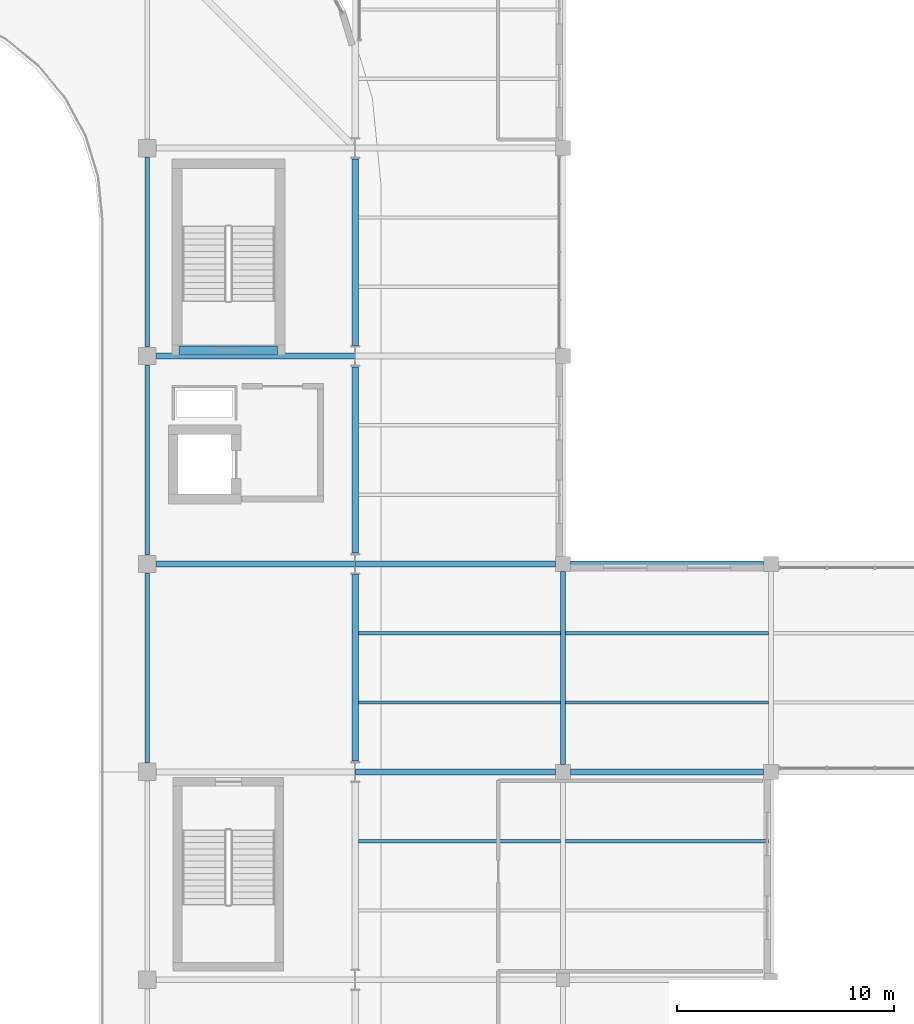
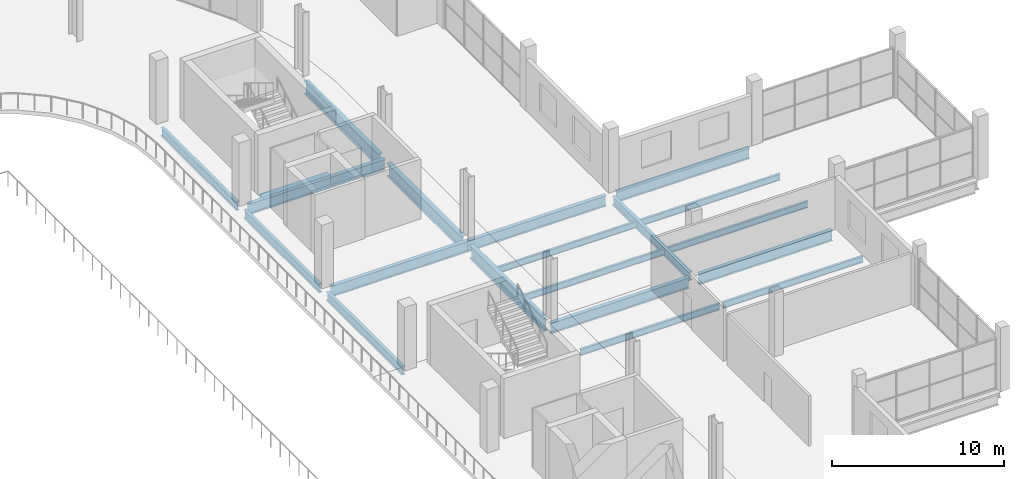
# One storey, part 23 of 75: 20 beams.
"""IFC4 building model written with IfcOpenShell, lengths in metres."""

from ifc_helpers import new_model, si_unit, direction, frame, origin, origin_2d, place, context, subcontext, project, spatial, rectangle, i_section, extrude, material, material_profile, profile_set, type_object, element, save


model = new_model("IFC4")

# Units and contexts
model_context = context("Model", 3, precision=1e-05, world=origin(), true_north=direction((0.0, 1.0)))
body_context = subcontext(model_context, "Body", "Model", "MODEL_VIEW")
ifc_project = project(units=[si_unit("LENGTHUNIT", "METRE"), si_unit("AREAUNIT", "SQUARE_METRE"), si_unit("VOLUMEUNIT", "CUBIC_METRE"), si_unit("PLANEANGLEUNIT", "RADIAN"), si_unit("MASSUNIT", "GRAM", prefix="KILO")], contexts=[model_context])

# Site, building, storey
site_placement = place(None, origin())
site = spatial("IfcSite", under=ifc_project, at=site_placement, CompositionType="ELEMENT")
building_placement = place(site_placement, origin())
building = spatial("IfcBuilding", under=site, at=building_placement, Name="Caelomonte Colonnade Arena", CompositionType="ELEMENT")
storey_placement = place(building_placement, frame((0.0, 0.0, 14.10009765625)))
storey = spatial("IfcBuildingStorey", under=building, at=storey_placement, Name="L03", CompositionType="ELEMENT", Elevation=14.10009765625)

# Beams
ifc_material_1 = material(Name="Wide-flange steel ASTM A992 Grade 50", Category="steel")
ifc_material_profile_1 = material_profile(ifc_material_1, i_section(OverallWidth=0.307861328125, OverallDepth=0.927001953125, WebThickness=0.019287109375, FlangeThickness=0.031982421875, FilletRadius=0.020263671875, at=origin_2d()), Name="W36X194")
ifc_profile_set_1 = profile_set([ifc_material_profile_1], Name="Wide-flange steel ASTM A992 Grade 50")
beam_type_1 = type_object("IfcBeamType", Name="STR-BM-EAVES2", PredefinedType="SPANDREL", material=ifc_profile_set_1)
beam_1_placement = place(storey_placement, frame((163.199951171875, 67.697509765625, -0.74365234375), z_axis=(0.0, 1.0, 0.0), x_axis=(-1.0, 0.0, 0.0)))
element("IfcBeam", 1, at=beam_1_placement, inside=storey, type_object=beam_type_1, Name="L03 girder BMY-L03-1632-0672", PredefinedType="SPANDREL", context=body_context, shape_type="SweptSolid", body=[
    extrude(i_section(OverallWidth=0.307861328125, OverallDepth=0.927001953125, WebThickness=0.019287109375, FlangeThickness=0.031982421875, FilletRadius=0.020263671875, at=origin_2d()), origin(), (0.0, 0.0, 1.0), 8.60498046875),
])
beam_2_placement = place(storey_placement, frame((163.199951171875, 77.29736328125, -0.74365234375), z_axis=(0.0, 1.0, 0.0), x_axis=(-1.0, 0.0, 0.0)))
element("IfcBeam", 2, at=beam_2_placement, inside=storey, type_object=beam_type_1, Name="L03 girder BMY-L03-1632-0768", PredefinedType="SPANDREL", context=body_context, shape_type="SweptSolid", body=[
    extrude(i_section(OverallWidth=0.307861328125, OverallDepth=0.927001953125, WebThickness=0.019287109375, FlangeThickness=0.031982421875, FilletRadius=0.020263671875, at=origin_2d()), origin(), (0.0, 0.0, 1.0), 8.605224609375),
])
beam_3_placement = place(storey_placement, frame((163.199951171875, 86.8974609375, -0.74365234375), z_axis=(0.0, 1.0, 0.0), x_axis=(-1.0, 0.0, 0.0)))
element("IfcBeam", 3, at=beam_3_placement, inside=storey, type_object=beam_type_1, Name="L03 girder BMY-L03-1632-0864", PredefinedType="SPANDREL", context=body_context, shape_type="SweptSolid", body=[
    extrude(i_section(OverallWidth=0.307861328125, OverallDepth=0.927001953125, WebThickness=0.019287109375, FlangeThickness=0.031982421875, FilletRadius=0.020263671875, at=origin_2d()), origin(), (0.0, 0.0, 1.0), 8.60498046875),
])
ifc_material_profile_2 = material_profile(ifc_material_1, i_section(OverallWidth=0.228271484375, OverallDepth=0.607177734375, WebThickness=0.01123046875, FlangeThickness=0.017333984375, FilletRadius=0.0126953125, at=origin_2d()), Name="W24X76")
ifc_profile_set_2 = profile_set([ifc_material_profile_2], Name="Wide-flange steel ASTM A992 Grade 50")
beam_type_2 = type_object("IfcBeamType", Name="STR-BM-GIRD24", PredefinedType="BEAM", material=ifc_profile_set_2)
beam_4_placement = place(storey_placement, frame((153.60009765625, 67.616943359375, -0.58349609375), z_axis=(0.0, 1.0, 0.0), x_axis=(-1.0, 0.0, 0.0)))
element("IfcBeam", 4, at=beam_4_placement, inside=storey, type_object=beam_type_2, Name="L03 girder BMY-L03-1536-0672", PredefinedType="BEAM", context=body_context, shape_type="SweptSolid", body=[
    extrude(i_section(OverallWidth=0.228271484375, OverallDepth=0.607177734375, WebThickness=0.01123046875, FlangeThickness=0.017333984375, FilletRadius=0.0126953125, at=origin_2d()), origin(), (0.0, 0.0, 1.0), 8.76611328125),
])
beam_5_placement = place(storey_placement, frame((153.60009765625, 77.217041015625, -0.58349609375), z_axis=(0.0, 1.0, 0.0), x_axis=(-1.0, 0.0, 0.0)))
element("IfcBeam", 5, at=beam_5_placement, inside=storey, type_object=beam_type_2, Name="L03 girder BMY-L03-1536-0768", PredefinedType="BEAM", context=body_context, shape_type="SweptSolid", body=[
    extrude(i_section(OverallWidth=0.228271484375, OverallDepth=0.607177734375, WebThickness=0.01123046875, FlangeThickness=0.017333984375, FilletRadius=0.0126953125, at=origin_2d()), origin(), (0.0, 0.0, 1.0), 8.765869140625),
])
beam_6_placement = place(storey_placement, frame((153.60009765625, 86.81689453125, -0.58349609375), z_axis=(0.0, 1.0, 0.0), x_axis=(-1.0, 0.0, 0.0)))
element("IfcBeam", 6, at=beam_6_placement, inside=storey, type_object=beam_type_2, Name="L03 girder BMY-L03-1536-0864", PredefinedType="BEAM", context=body_context, shape_type="SweptSolid", body=[
    extrude(i_section(OverallWidth=0.228271484375, OverallDepth=0.607177734375, WebThickness=0.01123046875, FlangeThickness=0.017333984375, FilletRadius=0.0126953125, at=origin_2d()), origin(), (0.0, 0.0, 1.0), 8.76611328125),
])
beam_7_placement = place(storey_placement, frame((172.800048828125, 67.5419921875, -0.58349609375), z_axis=(0.0, 1.0, 0.0), x_axis=(-1.0, 0.0, 0.0)))
element("IfcBeam", 7, at=beam_7_placement, inside=storey, type_object=beam_type_2, Name="L03 girder BMY-L03-1728-0672", PredefinedType="BEAM", context=body_context, shape_type="SweptSolid", body=[
    extrude(i_section(OverallWidth=0.228271484375, OverallDepth=0.607177734375, WebThickness=0.01123046875, FlangeThickness=0.017333984375, FilletRadius=0.0126953125, at=origin_2d()), origin(), (0.0, 0.0, 1.0), 8.916015625),
])
ifc_material_profile_3 = material_profile(ifc_material_1, i_section(OverallWidth=0.265380859375, OverallDepth=0.75439453125, WebThickness=0.01318359375, FlangeThickness=0.01708984375, FilletRadius=0.0166015625, at=origin_2d()), Name="W30X99")
ifc_profile_set_3 = profile_set([ifc_material_profile_3], Name="Wide-flange steel ASTM A992 Grade 50")
beam_type_3 = type_object("IfcBeamType", Name="STR-BM-GIRD30B", PredefinedType="BEAM", material=ifc_profile_set_3)
beam_8_placement = place(storey_placement, frame((163.2119140625, 67.199951171875, -0.6572265625), z_axis=(1.0, 0.0, 0.0), x_axis=(0.0, 1.0, 0.0)))
element("IfcBeam", 8, at=beam_8_placement, inside=storey, type_object=beam_type_3, Name="L03 girder BMX-L03-1632-0672", PredefinedType="BEAM", context=body_context, shape_type="SweptSolid", body=[
    extrude(i_section(OverallWidth=0.265380859375, OverallDepth=0.75439453125, WebThickness=0.01318359375, FlangeThickness=0.01708984375, FilletRadius=0.0166015625, at=origin_2d()), origin(), (0.0, 0.0, 1.0), 9.24609375),
])
beam_9_placement = place(storey_placement, frame((173.14208984375, 67.199951171875, -0.6572265625), z_axis=(1.0, 0.0, 0.0), x_axis=(0.0, 1.0, 0.0)))
element("IfcBeam", 9, at=beam_9_placement, inside=storey, type_object=beam_type_3, Name="L03 girder BMX-L03-1728-0672", PredefinedType="BEAM", context=body_context, shape_type="SweptSolid", body=[
    extrude(i_section(OverallWidth=0.265380859375, OverallDepth=0.75439453125, WebThickness=0.01318359375, FlangeThickness=0.01708984375, FilletRadius=0.0166015625, at=origin_2d()), origin(), (0.0, 0.0, 1.0), 8.916015625),
])
beam_10_placement = place(storey_placement, frame((154.01708984375, 76.800048828125, -0.6572265625), z_axis=(1.0, 0.0, 0.0), x_axis=(0.0, 1.0, 0.0)))
element("IfcBeam", 10, at=beam_10_placement, inside=storey, type_object=beam_type_3, Name="L03 girder BMX-L03-1536-0768", PredefinedType="BEAM", context=body_context, shape_type="SweptSolid", body=[
    extrude(i_section(OverallWidth=0.265380859375, OverallDepth=0.75439453125, WebThickness=0.01318359375, FlangeThickness=0.01708984375, FilletRadius=0.0166015625, at=origin_2d()), origin(), (0.0, 0.0, 1.0), 9.171142578125),
])
beam_11_placement = place(storey_placement, frame((163.2119140625, 76.800048828125, -0.6572265625), z_axis=(1.0, 0.0, 0.0), x_axis=(0.0, 1.0, 0.0)))
element("IfcBeam", 11, at=beam_11_placement, inside=storey, type_object=beam_type_3, Name="L03 girder BMX-L03-1632-0768", PredefinedType="BEAM", context=body_context, shape_type="SweptSolid", body=[
    extrude(i_section(OverallWidth=0.265380859375, OverallDepth=0.75439453125, WebThickness=0.01318359375, FlangeThickness=0.01708984375, FilletRadius=0.0166015625, at=origin_2d()), origin(), (0.0, 0.0, 1.0), 9.24609375),
])
beam_12_placement = place(storey_placement, frame((173.14208984375, 76.800048828125, -0.6572265625), z_axis=(1.0, 0.0, 0.0), x_axis=(0.0, 1.0, 0.0)))
element("IfcBeam", 12, at=beam_12_placement, inside=storey, type_object=beam_type_3, Name="L03 girder BMX-L03-1728-0768", PredefinedType="BEAM", context=body_context, shape_type="SweptSolid", body=[
    extrude(i_section(OverallWidth=0.265380859375, OverallDepth=0.75439453125, WebThickness=0.01318359375, FlangeThickness=0.01708984375, FilletRadius=0.0166015625, at=origin_2d()), origin(), (0.0, 0.0, 1.0), 8.916015625),
])
beam_13_placement = place(storey_placement, frame((154.01708984375, 86.39990234375, -0.6572265625), z_axis=(1.0, 0.0, 0.0), x_axis=(0.0, 1.0, 0.0)))
element("IfcBeam", 13, at=beam_13_placement, inside=storey, type_object=beam_type_3, Name="L03 girder BMX-L03-1536-0864", PredefinedType="BEAM", context=body_context, shape_type="SweptSolid", body=[
    extrude(i_section(OverallWidth=0.265380859375, OverallDepth=0.75439453125, WebThickness=0.01318359375, FlangeThickness=0.01708984375, FilletRadius=0.0166015625, at=origin_2d()), origin(), (0.0, 0.0, 1.0), 9.171142578125),
])
ifc_material_profile_4 = material_profile(ifc_material_1, i_section(OverallWidth=0.15283203125, OverallDepth=0.45458984375, WebThickness=0.008056640625, FlangeThickness=0.01318359375, FilletRadius=0.01025390625, at=origin_2d()), Name="W18X40")
ifc_profile_set_4 = profile_set([ifc_material_profile_4], Name="Wide-flange steel ASTM A992 Grade 50")
beam_type_4 = type_object("IfcBeamType", Name="STR-BM-JOIST18B", PredefinedType="JOIST", material=ifc_profile_set_4)
for number, where, z_axis, x_axis, name in (
    (14, (163.348876953125, 64.0, -0.50732421875), (1.0, 0.0, 0.0), (0.0, 1.0, 0.0), "L03 secondary joist 2"),
    (15, (163.348876953125, 70.39990234375, -0.50732421875), (1.0, 0.0, 0.0), (0.0, 1.0, 0.0), "L03 secondary joist 1"),
    (16, (163.348876953125, 73.60009765625, -0.50732421875), (1.0, 0.0, 0.0), (0.0, 1.0, 0.0), "L03 secondary joist 2"),
):
    element("IfcBeam", number, at=place(storey_placement, frame(where, z_axis=z_axis, x_axis=x_axis)), inside=storey, type_object=beam_type_4, Name=name, PredefinedType="JOIST", context=body_context, shape_type="SweptSolid", body=[
        extrude(i_section(OverallWidth=0.15283203125, OverallDepth=0.45458984375, WebThickness=0.008056640625, FlangeThickness=0.01318359375, FilletRadius=0.01025390625, at=origin_2d()), origin(), (0.0, 0.0, 1.0), 9.342041015625),
    ])
for number, where, z_axis, x_axis, name in (
    (17, (172.9091796875, 64.0, -0.50732421875), (1.0, 0.0, 0.0), (0.0, 1.0, 0.0), "L03 secondary joist 2"),
    (18, (172.9091796875, 70.39990234375, -0.50732421875), (1.0, 0.0, 0.0), (0.0, 1.0, 0.0), "L03 secondary joist 1"),
    (19, (172.9091796875, 73.60009765625, -0.50732421875), (1.0, 0.0, 0.0), (0.0, 1.0, 0.0), "L03 secondary joist 2"),
):
    element("IfcBeam", number, at=place(storey_placement, frame(where, z_axis=z_axis, x_axis=x_axis)), inside=storey, type_object=beam_type_4, Name=name, PredefinedType="JOIST", context=body_context, shape_type="SweptSolid", body=[
        extrude(i_section(OverallWidth=0.15283203125, OverallDepth=0.45458984375, WebThickness=0.008056640625, FlangeThickness=0.01318359375, FilletRadius=0.01025390625, at=origin_2d()), origin(), (0.0, 0.0, 1.0), 9.3818359375),
    ])
ifc_material_2 = material(Name="Concrete C40/50", Category="concrete")
ifc_material_profile_5 = material_profile(ifc_material_2, rectangle(XDim=0.39990234375, YDim=0.64990234375, at=origin_2d()), Name="RC400X650")
ifc_profile_set_5 = profile_set([ifc_material_profile_5], Name="Concrete C40/50")
beam_type_5 = type_object("IfcBeamType", Name="STR-BM-LINT40", PredefinedType="LINTEL", material=ifc_profile_set_5)
beam_14_placement = place(storey_placement, frame((155.074951171875, 86.675048828125, -0.60498046875), z_axis=(1.0, 0.0, 0.0), x_axis=(0.0, 1.0, 0.0)))
element("IfcBeam", 20, at=beam_14_placement, inside=storey, type_object=beam_type_5, Name="Core C3 L03 coupling lintel beam", PredefinedType="LINTEL", context=body_context, shape_type="SweptSolid", body=[
    extrude(rectangle(XDim=0.39990234375, YDim=0.64990234375, at=origin_2d()), origin(), (0.0, 0.0, 1.0), 4.550048828125),
])

save(model, "model.ifc")
